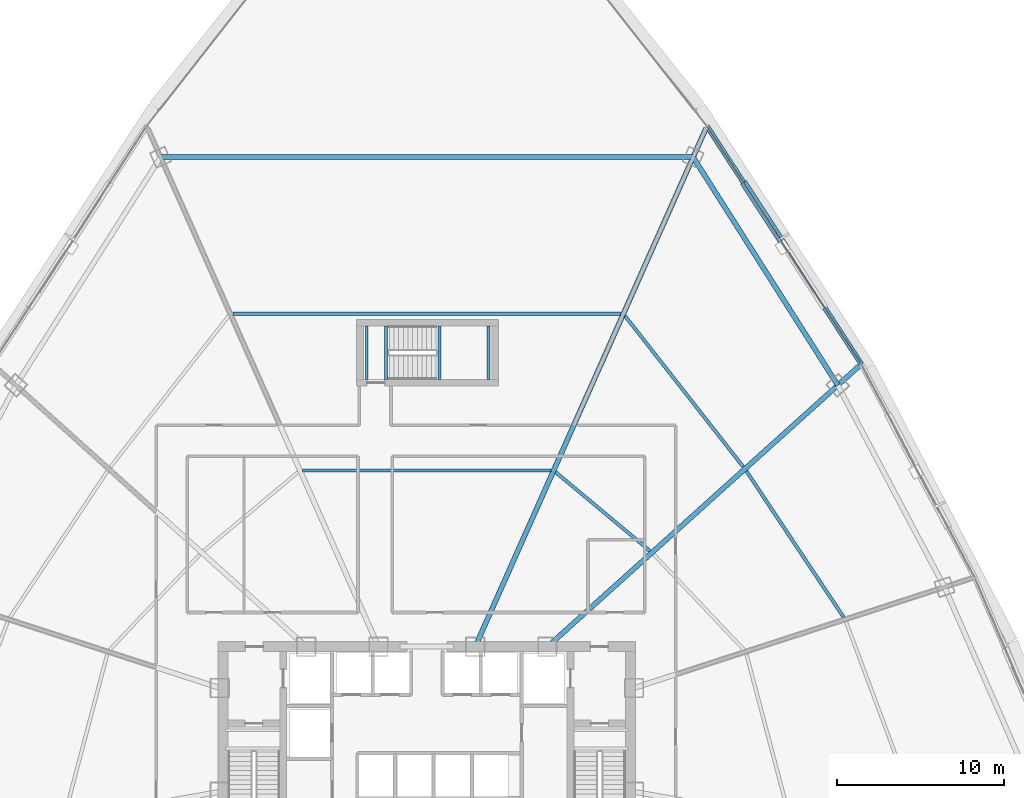
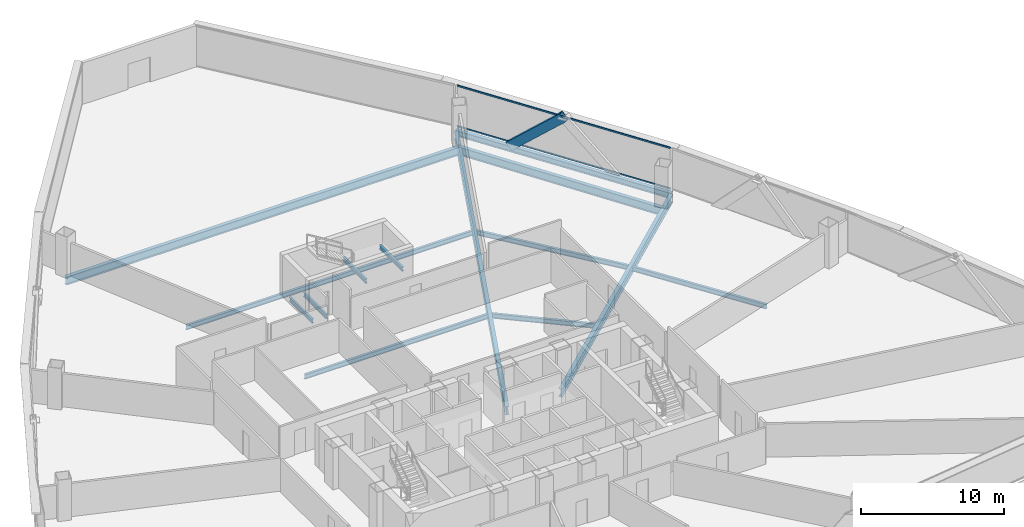
# One storey, part 17 of 39: 14 beams, 3 members, 1 element without a shape of its own.
"""IFC4 building model written with IfcOpenShell, lengths in metres."""

from ifc_helpers import new_model, si_unit, direction, frame, origin, origin_2d, place, context, subcontext, project, spatial, hollow_rectangle, i_section, extrude, source, transform, mapped, material, layer, layer_set, material_profile, profile_set, type_object, element, aggregate, save


model = new_model("IFC4")

# Units and contexts
model_context = context("Model", 3, precision=1e-05, world=origin(), true_north=direction((0.0, 1.0)))
body_context = subcontext(model_context, "Body", "Model", "MODEL_VIEW")
ifc_project = project(units=[si_unit("LENGTHUNIT", "METRE"), si_unit("AREAUNIT", "SQUARE_METRE"), si_unit("VOLUMEUNIT", "CUBIC_METRE"), si_unit("PLANEANGLEUNIT", "RADIAN"), si_unit("MASSUNIT", "GRAM", prefix="KILO"), si_unit("THERMODYNAMICTEMPERATUREUNIT", "KELVIN"), si_unit("POWERUNIT", "WATT")], contexts=[model_context])

# Site, building, storey
site_placement = place(None, origin())
site = spatial("IfcSite", under=ifc_project, at=site_placement, CompositionType="ELEMENT")
building_placement = place(site_placement, origin())
building = spatial("IfcBuilding", under=site, at=building_placement, Name="Yunzhuo Pagoda Commons", CompositionType="ELEMENT")
storey_placement = place(building_placement, frame((0.0, 0.0, 100.179931640625)))
storey = spatial("IfcBuildingStorey", under=building, at=storey_placement, Name="L25", CompositionType="ELEMENT", Elevation=100.179931640625)

# Beams
ifc_material_1 = material(Name="Structural steel Q355B", Category="steel")
ifc_material_profile_1 = material_profile(ifc_material_1, i_section(OverallWidth=0.175048828125, OverallDepth=0.35009765625, WebThickness=0.007080078125, FlangeThickness=0.010986328125, at=origin_2d()), Name="Structural steel Q355B")
ifc_profile_set_1 = profile_set([ifc_material_profile_1], Name="Structural steel Q355B")
beam_type_1 = type_object("IfcBeamType", Name="B-JS2 Joist HN 350x175x7x11", PredefinedType="JOIST", material=ifc_profile_set_1)
shared_shape_1 = source(origin(), body_context, "Body", "SweptSolid", [
    extrude(i_section(OverallWidth=0.175048828125, OverallDepth=0.35009765625, WebThickness=0.007080078125, FlangeThickness=0.010986328125, at=origin_2d()), origin(), (0.0, 0.0, 1.0), 3.199951171875),
])
for number, where, z_axis, x_axis, name in (
    (1, (48.75, 56.199951171875, 1.525146484375), (0.0, 1.0, 0.0), (-1.0, 0.0, 0.0), "L25 ST3 landing support beam 31A"),
    (2, (51.699951171875, 56.199951171875, 1.525146484375), (0.0, 1.0, 0.0), (-1.0, 0.0, 0.0), "L25 ST3 landing support beam 31B"),
    (3, (44.39990234375, 56.199951171875, -0.375), (0.0, 1.0, 0.0), (-1.0, 0.0, 0.0), "L25 ST3 landing support beam 99A"),
    (4, (45.550048828125, 56.199951171875, -0.375), (0.0, 1.0, 0.0), (-1.0, 0.0, 0.0), "L25 ST3 landing support beam 99B"),
):
    element("IfcBeam", number, at=place(storey_placement, frame(where, z_axis=z_axis, x_axis=x_axis)), inside=storey, type_object=beam_type_1, Name=name, PredefinedType="JOIST", context=body_context, shape_type="MappedRepresentation", body=[
        mapped(shared_shape_1, transform((0.0, 0.0, 0.0), scale=1.0)),
    ])
ifc_material_profile_2 = material_profile(ifc_material_1, i_section(OverallWidth=0.300048828125, OverallDepth=0.699951171875, WebThickness=0.012939453125, FlangeThickness=0.02392578125, at=origin_2d()), Name="Structural steel Q355B")
ifc_profile_set_2 = profile_set([ifc_material_profile_2], Name="Structural steel Q355B")
beam_type_2 = type_object("IfcBeamType", Name="B-RG1 Beam HN 700x300x13x24", PredefinedType="BEAM", material=ifc_profile_set_2)
shared_shape_2 = source(origin(), body_context, "Body", "SweptSolid", [
    extrude(i_section(OverallWidth=0.300048828125, OverallDepth=0.699951171875, WebThickness=0.012939453125, FlangeThickness=0.02392578125, at=origin_2d()), origin(), (0.0, 0.0, 1.0), 16.16845703125),
])
beam_1_placement = place(storey_placement, frame((72.602783203125, 55.852294921875, -0.60986328125), z_axis=(-0.535695673154, 0.844411123662, 0.0), x_axis=(-0.844411123662, -0.535695673154, 0.0)))
element("IfcBeam", 5, at=beam_1_placement, inside=storey, type_object=beam_type_2, Name="L25 column-ring beam 7", PredefinedType="BEAM", context=body_context, shape_type="MappedRepresentation", body=[
    mapped(shared_shape_2, transform((0.0, 0.0, 0.0), scale=1.0)),
])
shared_shape_3 = source(origin(), body_context, "Body", "SweptSolid", [
    extrude(i_section(OverallWidth=0.300048828125, OverallDepth=0.699951171875, WebThickness=0.012939453125, FlangeThickness=0.02392578125, at=origin_2d()), origin(), (0.0, 0.0, 1.0), 31.8828125),
])
beam_2_placement = place(storey_placement, frame((63.94140625, 69.505126953125, -0.60986328125), z_axis=(-1.0, 0.0, 0.0), x_axis=(0.0, -1.0, 0.0)))
element("IfcBeam", 6, at=beam_2_placement, inside=storey, type_object=beam_type_2, Name="L25 column-ring beam 8", PredefinedType="BEAM", context=body_context, shape_type="MappedRepresentation", body=[
    mapped(shared_shape_3, transform((0.0, 0.0, 0.0), scale=1.0)),
])
ifc_material_profile_3 = material_profile(ifc_material_1, i_section(OverallWidth=0.199951171875, OverallDepth=0.39990234375, WebThickness=0.008056640625, FlangeThickness=0.012939453125, at=origin_2d()), Name="Structural steel Q355B")
ifc_profile_set_3 = profile_set([ifc_material_profile_3], Name="Structural steel Q355B")
beam_type_3 = type_object("IfcBeamType", Name="B-JS1 Joist HN 400x200x8x13", PredefinedType="JOIST", material=ifc_profile_set_3)
shared_shape_4 = source(origin(), body_context, "Body", "SweptSolid", [
    extrude(i_section(OverallWidth=0.199951171875, OverallDepth=0.39990234375, WebThickness=0.008056640625, FlangeThickness=0.012939453125, at=origin_2d()), origin(), (0.0, 0.0, 1.0), 10.50537109375),
])
beam_3_placement = place(storey_placement, frame((72.95361328125, 41.968994140625, -0.4599609375), z_axis=(-0.554523204193, 0.832168261839, 0.0), x_axis=(-0.832168261839, -0.554523204193, 0.0)))
element("IfcBeam", 7, at=beam_3_placement, inside=storey, type_object=beam_type_3, Name="L25 composite ring joist 2.6", PredefinedType="JOIST", context=body_context, shape_type="MappedRepresentation", body=[
    mapped(shared_shape_4, transform((0.0, 0.0, 0.0), scale=1.0)),
])
shared_shape_5 = source(origin(), body_context, "Body", "SweptSolid", [
    extrude(i_section(OverallWidth=0.199951171875, OverallDepth=0.39990234375, WebThickness=0.008056640625, FlangeThickness=0.012939453125, at=origin_2d()), origin(), (0.0, 0.0, 1.0), 7.350341796875),
])
beam_4_placement = place(storey_placement, frame((61.355224609375, 45.936767578125, -0.4599609375), z_axis=(-0.767589283892, 0.640942034239, 0.0), x_axis=(-0.640942034239, -0.767589283892, 0.0)))
element("IfcBeam", 8, at=beam_4_placement, inside=storey, type_object=beam_type_3, Name="L25 composite ring joist 1.7", PredefinedType="JOIST", context=body_context, shape_type="MappedRepresentation", body=[
    mapped(shared_shape_5, transform((0.0, 0.0, 0.0), scale=1.0)),
])
shared_shape_6 = source(origin(), body_context, "Body", "SweptSolid", [
    extrude(i_section(OverallWidth=0.199951171875, OverallDepth=0.39990234375, WebThickness=0.008056640625, FlangeThickness=0.012939453125, at=origin_2d()), origin(), (0.0, 0.0, 1.0), 11.475830078125),
])
beam_5_placement = place(storey_placement, frame((66.942138671875, 50.96875, -0.4599609375), z_axis=(-0.616739539478, 0.787167288728, 0.0), x_axis=(-0.787167288728, -0.616739539478, 0.0)))
element("IfcBeam", 9, at=beam_5_placement, inside=storey, type_object=beam_type_3, Name="L25 composite ring joist 2.7", PredefinedType="JOIST", context=body_context, shape_type="MappedRepresentation", body=[
    mapped(shared_shape_6, transform((0.0, 0.0, 0.0), scale=1.0)),
])
shared_shape_7 = source(origin(), body_context, "Body", "SweptSolid", [
    extrude(i_section(OverallWidth=0.199951171875, OverallDepth=0.39990234375, WebThickness=0.008056640625, FlangeThickness=0.012939453125, at=origin_2d()), origin(), (0.0, 0.0, 1.0), 14.8642578125),
])
beam_6_placement = place(storey_placement, frame((55.43212890625, 50.749755859375, -0.4599609375), z_axis=(-1.0, 0.0, 0.0), x_axis=(0.0, -1.0, 0.0)))
element("IfcBeam", 10, at=beam_6_placement, inside=storey, type_object=beam_type_3, Name="L25 composite ring joist 1.8", PredefinedType="JOIST", context=body_context, shape_type="MappedRepresentation", body=[
    mapped(shared_shape_7, transform((0.0, 0.0, 0.0), scale=1.0)),
])
shared_shape_8 = source(origin(), body_context, "Body", "SweptSolid", [
    extrude(i_section(OverallWidth=0.199951171875, OverallDepth=0.39990234375, WebThickness=0.008056640625, FlangeThickness=0.012939453125, at=origin_2d()), origin(), (0.0, 0.0, 1.0), 23.21484375),
])
beam_7_placement = place(storey_placement, frame((59.607421875, 60.12744140625, -0.4599609375), z_axis=(-1.0, 0.0, 0.0), x_axis=(0.0, -1.0, 0.0)))
element("IfcBeam", 11, at=beam_7_placement, inside=storey, type_object=beam_type_3, Name="L25 composite ring joist 2.8", PredefinedType="JOIST", context=body_context, shape_type="MappedRepresentation", body=[
    mapped(shared_shape_8, transform((0.0, 0.0, 0.0), scale=1.0)),
])
shared_shape_9 = source(origin(), body_context, "Body", "SweptSolid", [
    extrude(i_section(OverallWidth=0.300048828125, OverallDepth=0.699951171875, WebThickness=0.012939453125, FlangeThickness=0.02392578125, at=origin_2d()), origin(), (0.0, 0.0, 1.0), 25.1318359375),
])
beam_8_placement = place(storey_placement, frame((73.8955078125, 57.016357421875, -0.60986328125), z_axis=(-0.743144868879, -0.669130558156, 0.0), x_axis=(0.669130558156, -0.743144868879, 0.0)))
element("IfcBeam", 12, at=beam_8_placement, inside=storey, type_object=beam_type_2, Name="L25 radial floor girder F2C3", PredefinedType="BEAM", context=body_context, shape_type="MappedRepresentation", body=[
    mapped(shared_shape_9, transform((0.0, 0.0, 0.0), scale=1.0)),
])
shared_shape_10 = source(origin(), body_context, "Body", "SweptSolid", [
    extrude(i_section(OverallWidth=0.300048828125, OverallDepth=0.699951171875, WebThickness=0.012939453125, FlangeThickness=0.02392578125, at=origin_2d()), origin(), (0.0, 0.0, 1.0), 33.961181640625),
])
beam_9_placement = place(storey_placement, frame((64.707275390625, 71.22509765625, -0.60986328125), z_axis=(-0.406735346576, -0.91354603488, 0.0), x_axis=(0.91354603488, -0.406735346576, 0.0)))
element("IfcBeam", 13, at=beam_9_placement, inside=storey, type_object=beam_type_2, Name="L25 radial floor girder F2C4", PredefinedType="BEAM", context=body_context, shape_type="MappedRepresentation", body=[
    mapped(shared_shape_10, transform((0.0, 0.0, 0.0), scale=1.0)),
])
ifc_material_profile_4 = material_profile(ifc_material_1, i_section(OverallWidth=0.300048828125, OverallDepth=0.488037109375, WebThickness=0.010986328125, FlangeThickness=0.01806640625, at=origin_2d()), Name="Structural steel Q355B")
ifc_profile_set_4 = profile_set([ifc_material_profile_4], Name="Structural steel Q355B")
beam_type_4 = type_object("IfcBeamType", Name="B-SP1 Beam HM 488x300x11x18", PredefinedType="BEAM", material=ifc_profile_set_4)
shared_shape_11 = source(origin(), body_context, "Body", "SweptSolid", [
    extrude(i_section(OverallWidth=0.300048828125, OverallDepth=0.488037109375, WebThickness=0.010986328125, FlangeThickness=0.01806640625, at=origin_2d()), origin(), (0.0, 0.0, 1.0), 16.980712890625),
])
beam_10_placement = place(storey_placement, frame((74.0107421875, 57.1201171875, -0.50390625), z_axis=(-0.544174968166, 0.838971754007, 0.0), x_axis=(-0.838971754007, -0.544174968166, 0.0)))
element("IfcBeam", 14, at=beam_10_placement, inside=storey, type_object=beam_type_4, Name="L25 facade edge spandrel beam F2.3", PredefinedType="BEAM", context=body_context, shape_type="MappedRepresentation", body=[
    mapped(shared_shape_11, transform((0.0, 0.0, 0.0), scale=1.0)),
])

# Member
ifc_material_2 = material(Name="Structural steel Q420B", Category="steel")
ifc_material_profile_5 = material_profile(ifc_material_2, hollow_rectangle(XDim=0.419921875, YDim=0.719970703125, WallThickness=0.028076171875, at=origin_2d()), Name="Structural steel Q420B")
ifc_profile_set_5 = profile_set([ifc_material_profile_5], Name="Structural steel Q420B")
member_type_1 = type_object("IfcMemberType", Name="M-DL1 Brace BOX 720x420x28", PredefinedType="BRACE", material=ifc_profile_set_5)
shared_shape_12 = source(origin(), body_context, "Body", "SweptSolid", [
    extrude(hollow_rectangle(XDim=0.419921875, YDim=0.719970703125, WallThickness=0.028076171875, at=origin_2d()), origin(), (0.0, 0.0, 1.0), 5.697509765625),
])
member_1_placement = place(storey_placement, frame((67.080322265625, 67.804931640625, -0.260009765625), z_axis=(0.405453235797, -0.625105876538, 0.666971001393), x_axis=(0.838974060503, 0.544171412152, 0.0)))
element("IfcMember", 15, at=member_1_placement, inside=storey, type_object=member_type_1, Name="L25 facade diamond brace F2.3R", PredefinedType="BRACE", context=body_context, shape_type="MappedRepresentation", body=[
    mapped(shared_shape_12, transform((0.0, 0.0, 0.0), scale=1.0)),
])

# Curtain wall, members
ifc_material_3 = material(Name="Anodized aluminium 6063-T6", Category="aluminium")
ifc_layer = layer(ifc_material_3, 0.1650390625)
ifc_layer_set = layer_set([ifc_layer], Name="Anodized aluminium 6063-T6")
curtain_wall_type = type_object("IfcCurtainWallType", Name="CW-LOW Low-Zone Ribbon Curtain Wall", PredefinedType="NOTDEFINED", material=ifc_layer_set)
curtain_wall_placement = place(storey_placement, origin())
curtain_wall = element("IfcCurtainWall", 16, at=curtain_wall_placement, inside=storey, type_object=curtain_wall_type, Name="L25 curtain wall CW-L25-F2B4", PredefinedType="NOTDEFINED")
ifc_material_profile_6 = material_profile(ifc_material_3, hollow_rectangle(XDim=0.06005859375, YDim=0.139892578125, WallThickness=0.00341796875, at=origin_2d()), Name="Anodized aluminium 6063-T6")
ifc_profile_set_6 = profile_set([ifc_material_profile_6], Name="Anodized aluminium 6063-T6")
member_type_2 = type_object("IfcMemberType", Name="CW-LOW-T Transom RHS 140x60x3.5", PredefinedType="USERDEFINED", material=ifc_profile_set_6)
shared_shape_13 = source(origin(), body_context, "Body", "SweptSolid", [
    extrude(hollow_rectangle(XDim=0.06005859375, YDim=0.139892578125, WallThickness=0.00341796875, at=origin_2d()), origin(), (0.0, 0.0, 1.0), 16.8505859375),
])
member_2_placement = place(storey_placement, frame((73.975341796875, 57.1748046875, 0.030029296875), z_axis=(-0.544174292348, 0.838972192356, 0.0), x_axis=(-0.838972192356, -0.544174292348, 0.0)))
member_2 = element("IfcMember", 17, at=member_2_placement, type_object=member_type_2, Name="CW transom 1.1", ObjectType="TRANSOM", PredefinedType="USERDEFINED", context=body_context, shape_type="MappedRepresentation", body=[
    mapped(shared_shape_13, transform((0.0, 0.0, 0.0), scale=1.0)),
])
member_3_placement = place(storey_placement, frame((73.975341796875, 57.1748046875, 3.510009765625), z_axis=(-0.544174292348, 0.838972192356, 0.0), x_axis=(-0.838972192356, -0.544174292348, 0.0)))
member_3 = element("IfcMember", 18, at=member_3_placement, type_object=member_type_2, Name="CW transom 1.2", ObjectType="TRANSOM", PredefinedType="USERDEFINED", context=body_context, shape_type="MappedRepresentation", body=[
    mapped(shared_shape_13, transform((0.0, 0.0, 0.0), scale=1.0)),
])
aggregate(curtain_wall, [member_2, member_3])

save(model, "model.ifc")
